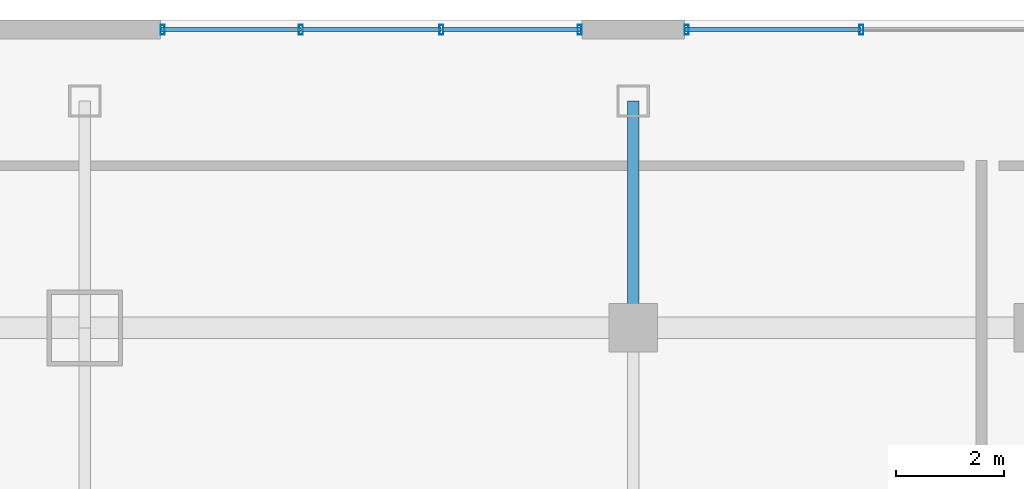
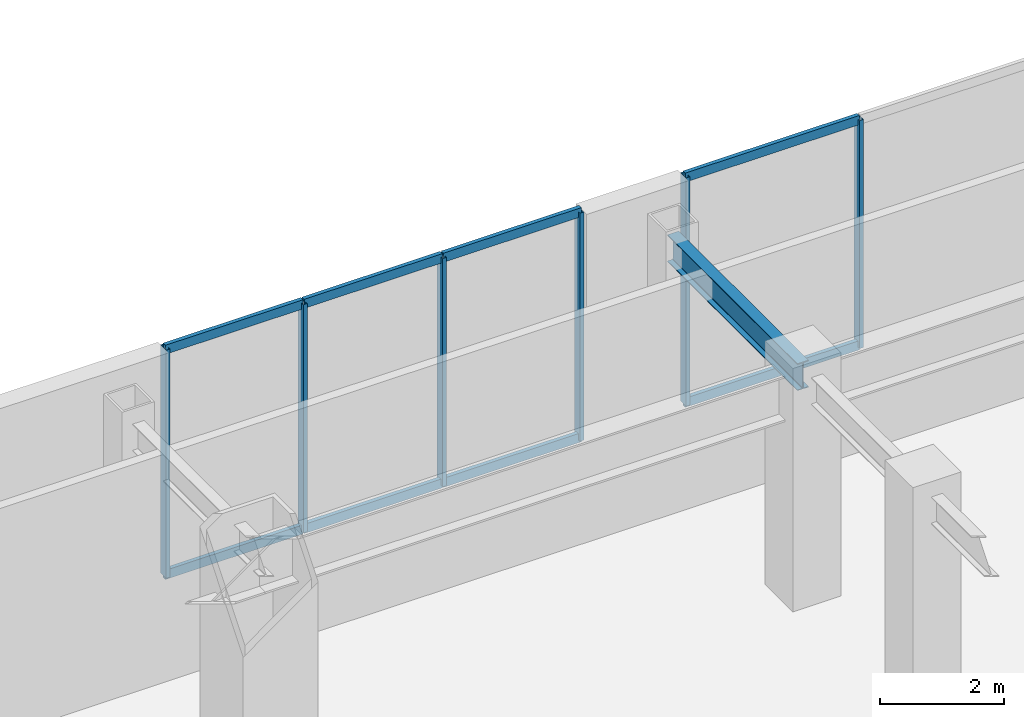
# One storey, part 3 of 15: 14 members, 1 beam, 2 elements without a shape of their own.
"""IFC4 building model written with IfcOpenShell, lengths in metres."""

from ifc_helpers import new_model, si_unit, direction, frame, origin, origin_2d, place, context, subcontext, project, spatial, hollow_rectangle, i_section, extrude, material, material_profile, profile_set, type_object, element, aggregate, save


model = new_model("IFC4")

# Units and contexts
model_context = context("Model", 3, precision=1e-05, world=origin(), true_north=direction((0.0, 1.0)))
body_context = subcontext(model_context, "Body", "Model", "MODEL_VIEW")
ifc_project = project(units=[si_unit("LENGTHUNIT", "METRE"), si_unit("AREAUNIT", "SQUARE_METRE"), si_unit("VOLUMEUNIT", "CUBIC_METRE"), si_unit("PLANEANGLEUNIT", "RADIAN"), si_unit("MASSUNIT", "GRAM", prefix="KILO")], contexts=[model_context])

# Site, building, storey
site_placement = place(None, origin())
site = spatial("IfcSite", under=ifc_project, at=site_placement, CompositionType="ELEMENT")
building_placement = place(site_placement, origin())
building = spatial("IfcBuilding", under=site, at=building_placement, Name="Ventersveld Concourse Tower", CompositionType="ELEMENT")
storey_placement = place(building_placement, frame((0.0, 0.0, 5.39990234375)))
storey = spatial("IfcBuildingStorey", under=building, at=storey_placement, Name="L01", CompositionType="ELEMENT", Elevation=5.39990234375)

# Curtain wall, members
ifc_material_1 = material(Name="Anodised aluminium EN AW-6063-T6", Category="aluminium")
curtain_wall_type = type_object("IfcCurtainWallType", Name="CW-POD-2", PredefinedType="NOTDEFINED", material=ifc_material_1)
curtain_wall_1_placement = place(storey_placement, origin())
curtain_wall_1 = element("IfcCurtainWall", 1, at=curtain_wall_1_placement, inside=storey, type_object=curtain_wall_type, Name="L01 L01 Podium Gallery Curtain Wall 1", PredefinedType="NOTDEFINED")
ifc_material_profile_1 = material_profile(ifc_material_1, hollow_rectangle(XDim=0.074951171875, YDim=0.179931640625, WallThickness=0.00390625, at=origin_2d()), Name="ALU 180x75x4")
ifc_profile_set_1 = profile_set([ifc_material_profile_1], Name="Anodised aluminium EN AW-6063-T6")
member_type_1 = type_object("IfcMemberType", Name="CWM-180x75", PredefinedType="MULLION", material=ifc_profile_set_1)
member_1_placement = place(storey_placement, frame((5.0400390625, 49.52001953125, 0.0), z_axis=(0.0, 0.0, 1.0), x_axis=(1.0, 0.0, 0.0)))
member_1 = element("IfcMember", 2, at=member_1_placement, type_object=member_type_1, Name="CW-L01-N1 Mullion 01", PredefinedType="MULLION", context=body_context, shape_type="SweptSolid", body=[
    extrude(hollow_rectangle(XDim=0.074951171875, YDim=0.179931640625, WallThickness=0.00390625, at=origin_2d()), origin(), (0.0, 0.0, 1.0), 4.5),
])
member_2_placement = place(storey_placement, frame((7.60009765625, 49.52001953125, 0.0), z_axis=(0.0, 0.0, 1.0), x_axis=(1.0, 0.0, 0.0)))
member_2 = element("IfcMember", 3, at=member_2_placement, type_object=member_type_1, Name="CW-L01-N1 Mullion 02", PredefinedType="MULLION", context=body_context, shape_type="SweptSolid", body=[
    extrude(hollow_rectangle(XDim=0.074951171875, YDim=0.179931640625, WallThickness=0.00390625, at=origin_2d()), origin(), (0.0, 0.0, 1.0), 4.5),
])
member_3_placement = place(storey_placement, frame((10.199951171875, 49.52001953125, 0.0), z_axis=(0.0, 0.0, 1.0), x_axis=(1.0, 0.0, 0.0)))
member_3 = element("IfcMember", 4, at=member_3_placement, type_object=member_type_1, Name="CW-L01-N1 Mullion 03", PredefinedType="MULLION", context=body_context, shape_type="SweptSolid", body=[
    extrude(hollow_rectangle(XDim=0.074951171875, YDim=0.179931640625, WallThickness=0.00390625, at=origin_2d()), origin(), (0.0, 0.0, 1.0), 4.5),
])
member_4_placement = place(storey_placement, frame((12.760009765625, 49.52001953125, 0.0), z_axis=(0.0, 0.0, 1.0), x_axis=(1.0, 0.0, 0.0)))
member_4 = element("IfcMember", 5, at=member_4_placement, type_object=member_type_1, Name="CW-L01-N1 Mullion 04", PredefinedType="MULLION", context=body_context, shape_type="SweptSolid", body=[
    extrude(hollow_rectangle(XDim=0.074951171875, YDim=0.179931640625, WallThickness=0.00390625, at=origin_2d()), origin(), (0.0, 0.0, 1.0), 4.5),
])

curtain_wall_2_placement = place(storey_placement, origin())
curtain_wall_2 = element("IfcCurtainWall", 6, at=curtain_wall_2_placement, inside=storey, type_object=curtain_wall_type, Name="L01 L01 Podium Gallery Curtain Wall 2", PredefinedType="NOTDEFINED")
member_5_placement = place(storey_placement, frame((14.739990234375, 49.52001953125, 0.0), z_axis=(0.0, 0.0, 1.0), x_axis=(1.0, 0.0, 0.0)))
member_5 = element("IfcMember", 7, at=member_5_placement, type_object=member_type_1, Name="CW-L01-N2 Mullion 01", PredefinedType="MULLION", context=body_context, shape_type="SweptSolid", body=[
    extrude(hollow_rectangle(XDim=0.074951171875, YDim=0.179931640625, WallThickness=0.00390625, at=origin_2d()), origin(), (0.0, 0.0, 1.0), 4.5),
])
member_6_placement = place(storey_placement, frame((17.97509765625, 49.52001953125, 0.0), z_axis=(0.0, 0.0, 1.0), x_axis=(1.0, 0.0, 0.0)))
member_6 = element("IfcMember", 8, at=member_6_placement, type_object=member_type_1, Name="CW-L01-N2 Mullion 02", PredefinedType="MULLION", context=body_context, shape_type="SweptSolid", body=[
    extrude(hollow_rectangle(XDim=0.074951171875, YDim=0.179931640625, WallThickness=0.00390625, at=origin_2d()), origin(), (0.0, 0.0, 1.0), 4.5),
])

# Member
ifc_material_profile_2 = material_profile(ifc_material_1, hollow_rectangle(XDim=0.074951171875, YDim=0.179931640625, WallThickness=0.00390625, at=origin_2d()), Name="ALU 180x75x4")
ifc_profile_set_2 = profile_set([ifc_material_profile_2], Name="Anodised aluminium EN AW-6063-T6")
member_type_2 = type_object("IfcMemberType", Name="CWT-180x75", PredefinedType="USERDEFINED", material=ifc_profile_set_2)
member_7_placement = place(storey_placement, frame((5.02001953125, 49.52001953125, 0.030029296875), z_axis=(1.0, 0.0, 0.0), x_axis=(0.0, 1.0, 0.0)))
member_7 = element("IfcMember", 9, at=member_7_placement, type_object=member_type_2, Name="CW-L01-N1 Transom 1-01", ObjectType="TRANSOM", PredefinedType="USERDEFINED", context=body_context, shape_type="SweptSolid", body=[
    extrude(hollow_rectangle(XDim=0.074951171875, YDim=0.179931640625, WallThickness=0.00390625, at=origin_2d()), origin(), (0.0, 0.0, 1.0), 2.570068359375),
])

member_8_placement = place(storey_placement, frame((7.610107421875, 49.52001953125, 0.030029296875), z_axis=(1.0, 0.0, 0.0), x_axis=(0.0, 1.0, 0.0)))
member_8 = element("IfcMember", 10, at=member_8_placement, type_object=member_type_2, Name="CW-L01-N1 Transom 1-02", ObjectType="TRANSOM", PredefinedType="USERDEFINED", context=body_context, shape_type="SweptSolid", body=[
    extrude(hollow_rectangle(XDim=0.074951171875, YDim=0.179931640625, WallThickness=0.00390625, at=origin_2d()), origin(), (0.0, 0.0, 1.0), 2.579833984375),
])

member_9_placement = place(storey_placement, frame((10.2099609375, 49.52001953125, 0.030029296875), z_axis=(1.0, 0.0, 0.0), x_axis=(0.0, 1.0, 0.0)))
member_9 = element("IfcMember", 11, at=member_9_placement, type_object=member_type_2, Name="CW-L01-N1 Transom 1-03", ObjectType="TRANSOM", PredefinedType="USERDEFINED", context=body_context, shape_type="SweptSolid", body=[
    extrude(hollow_rectangle(XDim=0.074951171875, YDim=0.179931640625, WallThickness=0.00390625, at=origin_2d()), origin(), (0.0, 0.0, 1.0), 2.570068359375),
])

member_10_placement = place(storey_placement, frame((5.02001953125, 49.52001953125, 4.47021484375), z_axis=(1.0, 0.0, 0.0), x_axis=(0.0, 1.0, 0.0)))
member_10 = element("IfcMember", 12, at=member_10_placement, type_object=member_type_2, Name="CW-L01-N1 Transom 2-01", ObjectType="TRANSOM", PredefinedType="USERDEFINED", context=body_context, shape_type="SweptSolid", body=[
    extrude(hollow_rectangle(XDim=0.074951171875, YDim=0.179931640625, WallThickness=0.00390625, at=origin_2d()), origin(), (0.0, 0.0, 1.0), 2.570068359375),
])

member_11_placement = place(storey_placement, frame((7.610107421875, 49.52001953125, 4.47021484375), z_axis=(1.0, 0.0, 0.0), x_axis=(0.0, 1.0, 0.0)))
member_11 = element("IfcMember", 13, at=member_11_placement, type_object=member_type_2, Name="CW-L01-N1 Transom 2-02", ObjectType="TRANSOM", PredefinedType="USERDEFINED", context=body_context, shape_type="SweptSolid", body=[
    extrude(hollow_rectangle(XDim=0.074951171875, YDim=0.179931640625, WallThickness=0.00390625, at=origin_2d()), origin(), (0.0, 0.0, 1.0), 2.579833984375),
])

member_12_placement = place(storey_placement, frame((10.2099609375, 49.52001953125, 4.47021484375), z_axis=(1.0, 0.0, 0.0), x_axis=(0.0, 1.0, 0.0)))
member_12 = element("IfcMember", 14, at=member_12_placement, type_object=member_type_2, Name="CW-L01-N1 Transom 2-03", ObjectType="TRANSOM", PredefinedType="USERDEFINED", context=body_context, shape_type="SweptSolid", body=[
    extrude(hollow_rectangle(XDim=0.074951171875, YDim=0.179931640625, WallThickness=0.00390625, at=origin_2d()), origin(), (0.0, 0.0, 1.0), 2.570068359375),
])

aggregate(curtain_wall_1, [member_1, member_2, member_3, member_4, member_7, member_8, member_9, member_10, member_11, member_12])

member_13_placement = place(storey_placement, frame((14.719970703125, 49.52001953125, 0.030029296875), z_axis=(1.0, 0.0, 0.0), x_axis=(0.0, 1.0, 0.0)))
member_13 = element("IfcMember", 15, at=member_13_placement, type_object=member_type_2, Name="CW-L01-N2 Transom 1-01", ObjectType="TRANSOM", PredefinedType="USERDEFINED", context=body_context, shape_type="SweptSolid", body=[
    extrude(hollow_rectangle(XDim=0.074951171875, YDim=0.179931640625, WallThickness=0.00390625, at=origin_2d()), origin(), (0.0, 0.0, 1.0), 3.2451171875),
])

member_14_placement = place(storey_placement, frame((14.719970703125, 49.52001953125, 4.47021484375), z_axis=(1.0, 0.0, 0.0), x_axis=(0.0, 1.0, 0.0)))
member_14 = element("IfcMember", 16, at=member_14_placement, type_object=member_type_2, Name="CW-L01-N2 Transom 2-01", ObjectType="TRANSOM", PredefinedType="USERDEFINED", context=body_context, shape_type="SweptSolid", body=[
    extrude(hollow_rectangle(XDim=0.074951171875, YDim=0.179931640625, WallThickness=0.00390625, at=origin_2d()), origin(), (0.0, 0.0, 1.0), 3.2451171875),
])

aggregate(curtain_wall_2, [member_5, member_6, member_13, member_14])

# Beam
ifc_material_2 = material(Name="Structural steel S355J2", Category="steel")
ifc_material_profile_3 = material_profile(ifc_material_2, i_section(OverallWidth=0.209228515625, OverallDepth=0.533203125, WebThickness=0.010009765625, FlangeThickness=0.015625, FilletRadius=0.0126953125, at=origin_2d()), Name="UB 533x210x92")
ifc_profile_set_3 = profile_set([ifc_material_profile_3], Name="Structural steel S355J2")
beam_type = type_object("IfcBeamType", Name="GRD-UB533", PredefinedType="T_BEAM", material=ifc_profile_set_3)
beam_placement = place(storey_placement, frame((13.75, 44.0, 4.2333984375), z_axis=(0.0, 1.0, 0.0), x_axis=(-1.0, 0.0, 0.0)))
element("IfcBeam", 17, at=beam_placement, inside=storey, type_object=beam_type, Name="L01 Podium N-S Girder X=13.75m", PredefinedType="T_BEAM", context=body_context, shape_type="SweptSolid", body=[
    extrude(i_section(OverallWidth=0.209228515625, OverallDepth=0.533203125, WebThickness=0.010009765625, FlangeThickness=0.015625, FilletRadius=0.0126953125, at=origin_2d()), origin(), (0.0, 0.0, 1.0), 4.199951171875),
])

save(model, "model.ifc")
